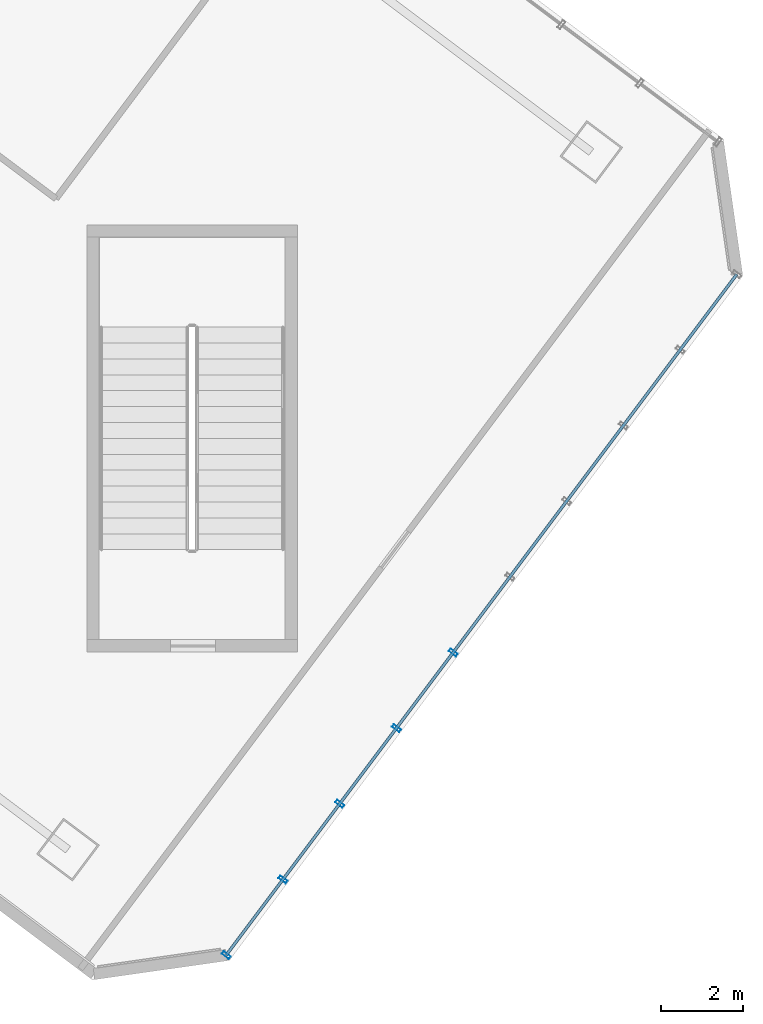
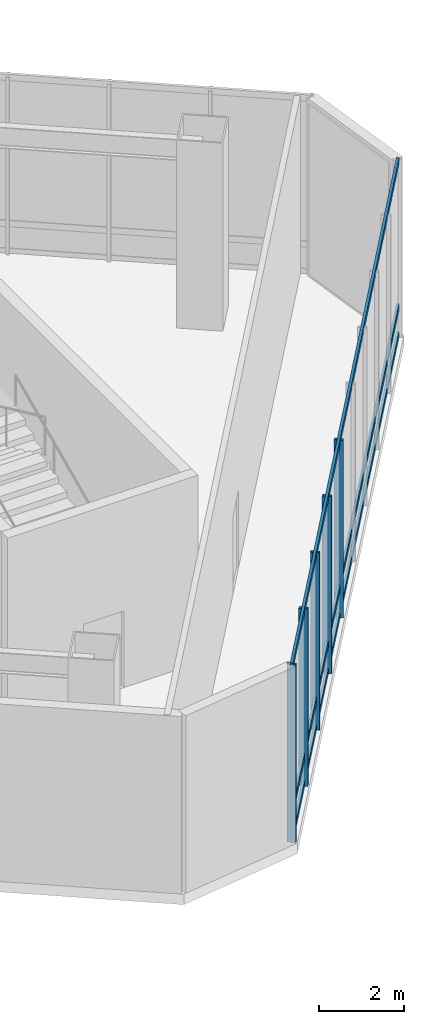
# One storey, part 5 of 35: 8 members, 1 element without a shape of its own.
"""IFC4 building model written with IfcOpenShell, lengths in metres."""

from ifc_helpers import new_model, si_unit, direction, frame, origin, origin_2d, place, context, subcontext, project, spatial, hollow_rectangle, extrude, material, layer, layer_set, material_profile, profile_set, type_object, element, aggregate, save


model = new_model("IFC4")

# Units and contexts
model_context = context("Model", 3, precision=1e-05, world=origin(), true_north=direction((0.0, 1.0)))
body_context = subcontext(model_context, "Body", "Model", "MODEL_VIEW")
ifc_project = project(units=[si_unit("LENGTHUNIT", "METRE"), si_unit("AREAUNIT", "SQUARE_METRE"), si_unit("VOLUMEUNIT", "CUBIC_METRE"), si_unit("PLANEANGLEUNIT", "RADIAN"), si_unit("MASSUNIT", "GRAM", prefix="KILO")], contexts=[model_context])

# Site, building, storey
site_placement = place(None, origin())
site = spatial("IfcSite", under=ifc_project, at=site_placement, CompositionType="ELEMENT")
building_placement = place(site_placement, origin())
building = spatial("IfcBuilding", under=site, at=building_placement, Name="Hatsunagi Terrace Concourse", CompositionType="ELEMENT")
storey_placement = place(building_placement, frame((0.0, 0.0, 16.199951171875)))
storey = spatial("IfcBuildingStorey", under=building, at=storey_placement, Name="L04", CompositionType="ELEMENT", Elevation=16.199951171875)

# Curtain wall, members
ifc_material_1 = material(Name="Anodised Aluminium Alloy 6063-T5", Category="aluminium")
ifc_layer = layer(ifc_material_1, 0.199951171875)
ifc_layer_set = layer_set([ifc_layer], Name="PodiumStorefront_CW01")
curtain_wall_type = type_object("IfcCurtainWallType", Name="PodiumStorefront_CW01", PredefinedType="NOTDEFINED", material=ifc_layer_set)
curtain_wall_placement = place(storey_placement, origin())
curtain_wall = element("IfcCurtainWall", 1, at=curtain_wall_placement, inside=storey, type_object=curtain_wall_type, Name="Unitised Curtain Wall CW-01 CW-L04-03", PredefinedType="NOTDEFINED")
ifc_material_2 = material(Name="Anodised Aluminium Alloy 6063-T5", Category="aluminium")
ifc_material_profile_1 = material_profile(ifc_material_2, hollow_rectangle(XDim=0.080078125, YDim=0.219970703125, WallThickness=0.0048828125, at=origin_2d()), Name="ALU-MUL-220x80x5")
ifc_profile_set_1 = profile_set([ifc_material_profile_1], Name="Anodised Aluminium Alloy 6063-T5")
member_type_1 = type_object("IfcMemberType", Name="CurtainWallMullion_Heavy_220x80", PredefinedType="MULLION", material=ifc_profile_set_1)
member_1_placement = place(storey_placement, frame((63.33203125, 9.47607421875, 0.0), z_axis=(0.0, 0.0, 1.0), x_axis=(-0.599969314634, -0.800023013105, 0.0)))
member_1 = element("IfcMember", 2, at=member_1_placement, type_object=member_type_1, Name="Curtain Wall Mullion MUL-01", PredefinedType="MULLION", context=body_context, shape_type="SweptSolid", body=[
    extrude(hollow_rectangle(XDim=0.080078125, YDim=0.219970703125, WallThickness=0.0048828125, at=origin_2d()), origin(), (0.0, 0.0, 1.0), 5.10009765625),
])
member_2_placement = place(storey_placement, frame((61.93994140625, 7.618896484375, 0.0), z_axis=(0.0, 0.0, 1.0), x_axis=(-0.599969314634, -0.800023013105, 0.0)))
member_2 = element("IfcMember", 3, at=member_2_placement, type_object=member_type_1, Name="Curtain Wall Mullion MUL-01", PredefinedType="MULLION", context=body_context, shape_type="SweptSolid", body=[
    extrude(hollow_rectangle(XDim=0.080078125, YDim=0.219970703125, WallThickness=0.0048828125, at=origin_2d()), origin(), (0.0, 0.0, 1.0), 5.10009765625),
])
member_3_placement = place(storey_placement, frame((60.547119140625, 5.762939453125, 0.0), z_axis=(0.0, 0.0, 1.0), x_axis=(-0.599969314634, -0.800023013105, 0.0)))
member_3 = element("IfcMember", 4, at=member_3_placement, type_object=member_type_1, Name="Curtain Wall Mullion MUL-01", PredefinedType="MULLION", context=body_context, shape_type="SweptSolid", body=[
    extrude(hollow_rectangle(XDim=0.080078125, YDim=0.219970703125, WallThickness=0.0048828125, at=origin_2d()), origin(), (0.0, 0.0, 1.0), 5.10009765625),
])
member_4_placement = place(storey_placement, frame((59.155029296875, 3.906005859375, 0.0), z_axis=(0.0, 0.0, 1.0), x_axis=(-0.599969314634, -0.800023013105, 0.0)))
member_4 = element("IfcMember", 5, at=member_4_placement, type_object=member_type_1, Name="Curtain Wall Mullion MUL-01", PredefinedType="MULLION", context=body_context, shape_type="SweptSolid", body=[
    extrude(hollow_rectangle(XDim=0.080078125, YDim=0.219970703125, WallThickness=0.0048828125, at=origin_2d()), origin(), (0.0, 0.0, 1.0), 5.10009765625),
])
member_5_placement = place(storey_placement, frame((57.762939453125, 2.050048828125, 0.0), z_axis=(0.0, 0.0, 1.0), x_axis=(-0.599969314634, -0.800023013105, 0.0)))
member_5 = element("IfcMember", 6, at=member_5_placement, type_object=member_type_1, Name="Curtain Wall Mullion MUL-01", PredefinedType="MULLION", context=body_context, shape_type="SweptSolid", body=[
    extrude(hollow_rectangle(XDim=0.080078125, YDim=0.219970703125, WallThickness=0.0048828125, at=origin_2d()), origin(), (0.0, 0.0, 1.0), 5.10009765625),
])
ifc_material_3 = material(Name="Anodised Aluminium Alloy 6063-T5", Category="aluminium")
ifc_material_profile_2 = material_profile(ifc_material_3, hollow_rectangle(XDim=0.070068359375, YDim=0.179931640625, WallThickness=0.00390625, at=origin_2d()), Name="ALU-TRN-180x70x4")
ifc_profile_set_2 = profile_set([ifc_material_profile_2], Name="Anodised Aluminium Alloy 6063-T5")
member_type_2 = type_object("IfcMemberType", Name="CurtainWallTransom_Heavy_180x70", PredefinedType="USERDEFINED", material=ifc_profile_set_2)
member_6_placement = place(storey_placement, frame((70.29296875, 18.758056640625, 0.050048828125), z_axis=(-0.599970072971, -0.800022444397, 0.0), x_axis=(0.800022444397, -0.599970072971, 0.0)))
member_6 = element("IfcMember", 7, at=member_6_placement, type_object=member_type_2, Name="Curtain Wall Transom TRN-01", ObjectType="TRANSOM", PredefinedType="USERDEFINED", context=body_context, shape_type="SweptSolid", body=[
    extrude(hollow_rectangle(XDim=0.070068359375, YDim=0.179931640625, WallThickness=0.00390625, at=origin_2d()), origin(), (0.0, 0.0, 1.0), 20.884521484375),
])
member_7_placement = place(storey_placement, frame((70.29296875, 18.758056640625, 0.85009765625), z_axis=(-0.599970072971, -0.800022444397, 0.0), x_axis=(0.800022444397, -0.599970072971, 0.0)))
member_7 = element("IfcMember", 8, at=member_7_placement, type_object=member_type_2, Name="Curtain Wall Transom TRN-01", ObjectType="TRANSOM", PredefinedType="USERDEFINED", context=body_context, shape_type="SweptSolid", body=[
    extrude(hollow_rectangle(XDim=0.070068359375, YDim=0.179931640625, WallThickness=0.00390625, at=origin_2d()), origin(), (0.0, 0.0, 1.0), 20.884521484375),
])
member_8_placement = place(storey_placement, frame((70.29296875, 18.758056640625, 5.050048828125), z_axis=(-0.599970072971, -0.800022444397, 0.0), x_axis=(0.800022444397, -0.599970072971, 0.0)))
member_8 = element("IfcMember", 9, at=member_8_placement, type_object=member_type_2, Name="Curtain Wall Transom TRN-01", ObjectType="TRANSOM", PredefinedType="USERDEFINED", context=body_context, shape_type="SweptSolid", body=[
    extrude(hollow_rectangle(XDim=0.070068359375, YDim=0.179931640625, WallThickness=0.00390625, at=origin_2d()), origin(), (0.0, 0.0, 1.0), 20.884521484375),
])
aggregate(curtain_wall, [member_1, member_2, member_3, member_4, member_5, member_6, member_7, member_8])

save(model, "model.ifc")
